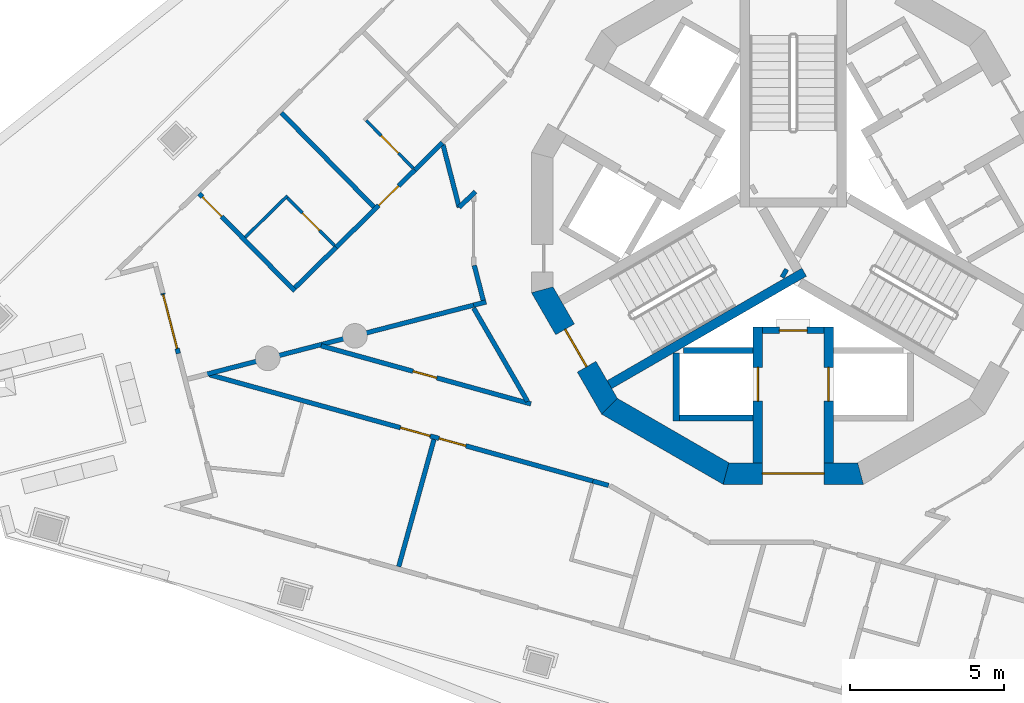
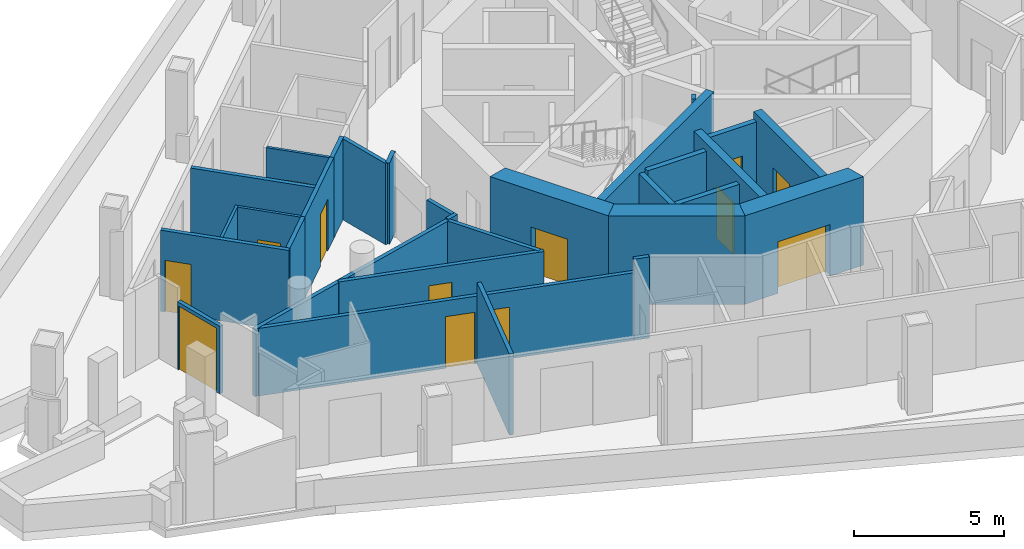
# One storey, part 3 of 14: 30 walls, 13 doors, 13 openings.
"""IFC4 building model written with IfcOpenShell, lengths in metres."""

from ifc_helpers import new_model, si_unit, direction, frame, frame_2d, origin, place, context, subcontext, project, spatial, polyline, rectangle, outline, extrude, material, layer, layer_set, type_object, element, fill, save


model = new_model("IFC4")

# Units and contexts
model_context = context("Model", 3, precision=1e-05, world=origin(), true_north=direction((0.0, 1.0)))
body_context = subcontext(model_context, "Body", "Model", "MODEL_VIEW")
ifc_project = project(units=[si_unit("LENGTHUNIT", "METRE"), si_unit("AREAUNIT", "SQUARE_METRE"), si_unit("VOLUMEUNIT", "CUBIC_METRE"), si_unit("PLANEANGLEUNIT", "RADIAN"), si_unit("MASSUNIT", "GRAM", prefix="KILO")], contexts=[model_context])

# Site, building, storey
site_placement = place(None, origin())
site = spatial("IfcSite", under=ifc_project, at=site_placement, CompositionType="ELEMENT")
building_placement = place(site_placement, origin())
building = spatial("IfcBuilding", under=site, at=building_placement, Name="Trine Commons Tower", CompositionType="ELEMENT")
storey_placement = place(building_placement, frame((0.0, 0.0, 234.89990234375)))
storey = spatial("IfcBuildingStorey", under=building, at=storey_placement, Name="L61", CompositionType="ELEMENT", Elevation=234.89990234375)

# Wall, opening, door
ifc_material_1 = material(Name="Aluminium-framed insulated wall panel", Category="aluminium")
ifc_layer_1 = layer(ifc_material_1, 0.14990234375)
ifc_layer_set_1 = layer_set([ifc_layer_1], Name="Aluminium-framed insulated wall panel")
wall_type_1 = type_object("IfcWallType", Name="Glazed frame wall 150, EI 60", PredefinedType="SOLIDWALL", material=ifc_layer_set_1)
wall_1_placement = place(storey_placement, frame((60.0390625, 58.2451171875, 0.0), z_axis=(0.0, 0.0, 1.0), x_axis=(-0.250341838346, 0.968157509899, 0.0)))
wall_1 = element("IfcWall", 1, at=wall_1_placement, inside=storey, type_object=wall_type_1, Name="Glazed frame wall P3.4", PredefinedType="SOLIDWALL", context=body_context, shape_type="SweptSolid", body=[
    extrude(outline(polyline([(0.0, -0.074951171875), (2.021484375, -0.074951171875), (2.021484375, 0.074951171875), (0.0, 0.074951171875), (0.0, -0.074951171875)])), origin(), (0.0, 0.0, 1.0), 2.75),
])
opening_1_placement = place(wall_1_placement, frame((0.17138671875, 0.0, 0.0)))
opening_1 = element("IfcOpeningElement", 2, at=opening_1_placement, cuts=wall_1, Name="Opening BD-7P3-02", PredefinedType="OPENING", context=body_context, shape_type="SweptSolid", body=[
    extrude(rectangle(XDim=1.800048828125, YDim=2.60009765625, at=frame_2d((0.89990234375, 1.300048828125))), frame((0.0, 0.0849609375, 0.0), z_axis=(0.0, -1.0, 0.0), x_axis=(1.0, 0.0, 0.0)), (0.0, 0.0, 1.0), 0.169921875),
])
ifc_material_2 = material(Name="Anodised aluminium frame with double glazing", Category="aluminium")
door_type_1 = type_object("IfcDoorType", Name="Sliding loggia door 1800x2600", OperationType="SLIDING_TO_LEFT", PredefinedType="DOOR", material=ifc_material_2)
door_1_placement = place(opening_1_placement, origin())
door_1 = element("IfcDoor", 3, at=door_1_placement, inside=storey, type_object=door_type_1, Name="Loggia door P3 2", OperationType="SLIDING_TO_LEFT", OverallHeight=2.60009765625, OverallWidth=1.800048828125, PredefinedType="DOOR", context=body_context, shape_type="SweptSolid", body=[
    extrude(rectangle(XDim=1.800048828125, YDim=2.60009765625, at=frame_2d((0.89990234375, 1.300048828125))), frame((0.0, 0.02490234375, 0.0), z_axis=(0.0, -1.0, 0.0), x_axis=(1.0, 0.0, 0.0)), (0.0, 0.0, 1.0), 0.050048828125),
])
fill(opening_1, door_1)

ifc_material_3 = material(Name="Fire-rated gypsum shaft wall system")
ifc_layer_2 = layer(ifc_material_3, 0.199951171875)
ifc_layer_set_2 = layer_set([ifc_layer_2], Name="Fire-rated gypsum shaft wall system")
wall_type_2 = type_object("IfcWallType", Name="Lobby end wall 200 mm, EI 120", PredefinedType="PARTITIONING", material=ifc_layer_set_2)
wall_2_placement = place(storey_placement, frame((79.0, 59.0, 0.0), z_axis=(0.0, 0.0, 1.0), x_axis=(1.0, 0.0, 0.0)))
wall_2 = element("IfcWall", 4, at=wall_2_placement, inside=storey, type_object=wall_type_2, Name="Lobby end wall L61", PredefinedType="PARTITIONING", context=body_context, shape_type="SweptSolid", body=[
    extrude(rectangle(XDim=2.0, YDim=0.199951171875, at=frame_2d((1.0, 0.0))), origin(), (0.0, 0.0, 1.0), 3.300048828125),
])
opening_2_placement = place(wall_2_placement, frame((0.550048828125, 0.0, 0.0)))
opening_2 = element("IfcOpeningElement", 5, at=opening_2_placement, cuts=wall_2, Name="Opening K15.09", PredefinedType="OPENING", context=body_context, shape_type="SweptSolid", body=[
    extrude(rectangle(XDim=0.89990234375, YDim=2.10009765625, at=frame_2d((0.449951171875, 1.050048828125))), frame((0.0, 0.10986328125, 0.0), z_axis=(0.0, -1.0, 0.0), x_axis=(1.0, 0.0, 0.0)), (0.0, 0.0, 1.0), 0.219970703125),
])
ifc_material_4 = material(Name="Steel door leaf, fire-rated", Category="steel")
door_type_2 = type_object("IfcDoorType", Name="Riser access door, single leaf 900 x 2100, FD60", OperationType="SINGLE_SWING_LEFT", PredefinedType="DOOR", material=ifc_material_4)
door_2_placement = place(opening_2_placement, frame((0.89990234375, 0.0, 0.0), z_axis=(0.0, 0.0, 1.0), x_axis=(-1.0, 0.0, 0.0)))
door_2 = element("IfcDoor", 6, at=door_2_placement, inside=storey, type_object=door_type_2, Name="Riser door, Communications riser L61", OperationType="SINGLE_SWING_RIGHT", OverallHeight=2.10009765625, OverallWidth=0.89990234375, PredefinedType="DOOR", context=body_context, shape_type="SweptSolid", body=[
    extrude(rectangle(XDim=0.89990234375, YDim=2.10009765625, at=frame_2d((0.449951171875, 1.050048828125))), frame((0.0, 0.02490234375, 0.0), z_axis=(0.0, -1.0, 0.0), x_axis=(1.0, 0.0, 0.0)), (0.0, 0.0, 1.0), 0.050048828125),
])
fill(opening_2, door_2)

ifc_material_5 = material(Name="Concrete C50/60", Category="concrete")
ifc_layer_3 = layer(ifc_material_5, 0.300048828125)
ifc_layer_set_3 = layer_set([ifc_layer_3], Name="Concrete C50/60")
wall_type_3 = type_object("IfcWallType", Name="RC shear wall 300 mm, C50/60", PredefinedType="SHEAR", material=ifc_layer_set_3)
wall_3_placement = place(storey_placement, frame((78.85009765625, 59.10009765625, 0.0), z_axis=(0.0, 0.0, 1.0), x_axis=(0.0, -1.0, 0.0)))
wall_3 = element("IfcWall", 7, at=wall_3_placement, inside=storey, type_object=wall_type_3, Name="Core cross wall SWC-03 L61", PredefinedType="SHEAR", context=body_context, shape_type="SweptSolid", body=[
    extrude(rectangle(XDim=4.400146484375, YDim=0.300048828125, at=frame_2d((2.2001953125, 0.0))), origin(), (0.0, 0.0, 1.0), 3.60009765625),
])
opening_3_placement = place(wall_3_placement, frame((1.300048828125, 0.0, 0.0)))
opening_3 = element("IfcOpeningElement", 8, at=opening_3_placement, cuts=wall_3, Name="Opening LD10", PredefinedType="OPENING", context=body_context, shape_type="SweptSolid", body=[
    extrude(rectangle(XDim=1.10009765625, YDim=2.10009765625, at=frame_2d((0.550048828125, 1.050048828125))), frame((0.0, 0.159912109375, 0.0), z_axis=(0.0, -1.0, 0.0), x_axis=(1.0, 0.0, 0.0)), (0.0, 0.0, 1.0), 0.320068359375),
])
ifc_material_6 = material(Name="Stainless steel sliding door leaves", Category="steel")
door_type_3 = type_object("IfcDoorType", Name="Lift landing door, centre-opening sliding 1100 x 2100, FD90", OperationType="DOUBLE_DOOR_SLIDING", PredefinedType="DOOR", material=ifc_material_6)
door_3_placement = place(opening_3_placement, origin())
door_3 = element("IfcDoor", 9, at=door_3_placement, inside=storey, type_object=door_type_3, Name="Lift landing door FF2 L61", OperationType="DOUBLE_DOOR_SLIDING", OverallHeight=2.10009765625, OverallWidth=1.10009765625, PredefinedType="DOOR", context=body_context, shape_type="SweptSolid", body=[
    extrude(rectangle(XDim=1.10009765625, YDim=2.10009765625, at=frame_2d((0.550048828125, 1.050048828125))), frame((0.0, 0.02490234375, 0.0), z_axis=(0.0, -1.0, 0.0), x_axis=(1.0, 0.0, 0.0)), (0.0, 0.0, 1.0), 0.050048828125),
])
fill(opening_3, door_3)

wall_4_placement = place(storey_placement, frame((81.14990234375, 59.10009765625, 0.0), z_axis=(0.0, 0.0, 1.0), x_axis=(0.0, -1.0, 0.0)))
wall_4 = element("IfcWall", 10, at=wall_4_placement, inside=storey, type_object=wall_type_3, Name="Core cross wall SWC-04 L61", PredefinedType="SHEAR", context=body_context, shape_type="SweptSolid", body=[
    extrude(rectangle(XDim=4.400146484375, YDim=0.300048828125, at=frame_2d((2.2001953125, 0.0))), origin(), (0.0, 0.0, 1.0), 3.60009765625),
])
opening_4_placement = place(wall_4_placement, frame((1.300048828125, 0.0, 0.0)))
opening_4 = element("IfcOpeningElement", 11, at=opening_4_placement, cuts=wall_4, Name="Opening LD9", PredefinedType="OPENING", context=body_context, shape_type="SweptSolid", body=[
    extrude(rectangle(XDim=1.10009765625, YDim=2.10009765625, at=frame_2d((0.550048828125, 1.050048828125))), frame((0.0, 0.159912109375, 0.0), z_axis=(0.0, -1.0, 0.0), x_axis=(1.0, 0.0, 0.0)), (0.0, 0.0, 1.0), 0.320068359375),
])
door_4_placement = place(opening_4_placement, origin())
door_4 = element("IfcDoor", 12, at=door_4_placement, inside=storey, type_object=door_type_3, Name="Lift landing door FF1 L61", OperationType="DOUBLE_DOOR_SLIDING", OverallHeight=2.10009765625, OverallWidth=1.10009765625, PredefinedType="DOOR", context=body_context, shape_type="SweptSolid", body=[
    extrude(rectangle(XDim=1.10009765625, YDim=2.10009765625, at=frame_2d((0.550048828125, 1.050048828125))), frame((0.0, 0.02490234375, 0.0), z_axis=(0.0, -1.0, 0.0), x_axis=(1.0, 0.0, 0.0)), (0.0, 0.0, 1.0), 0.050048828125),
])
fill(opening_4, door_4)

# Walls
wall_5_placement = place(storey_placement, frame((79.64599609375, 60.885986328125, 0.0), z_axis=(0.0, 0.0, 1.0), x_axis=(0.867331893649, -0.497730234424, 0.0)))
element("IfcWall", 13, at=wall_5_placement, inside=storey, type_object=wall_type_3, Name="Core cross wall SWC-11 L61", PredefinedType="SHEAR", context=body_context, shape_type="SweptSolid", body=[
    extrude(rectangle(XDim=0.148681640625, YDim=0.300048828125, at=frame_2d((0.07421875, 0.0))), origin(), (0.0, 0.0, 1.0), 3.60009765625),
])
wall_6_placement = place(storey_placement, frame((80.35400390625, 60.885986328125, 0.0), z_axis=(0.0, 0.0, 1.0), x_axis=(-0.866032430508, -0.49998782916, 0.0)))
element("IfcWall", 14, at=wall_6_placement, inside=storey, type_object=wall_type_3, Name="Core cross wall SWC-14 L61", PredefinedType="SHEAR", context=body_context, shape_type="SweptSolid", body=[
    extrude(rectangle(XDim=7.300048828125, YDim=0.300048828125, at=frame_2d((3.64990234375, 0.0))), origin(), (0.0, 0.0, 1.0), 3.60009765625),
])

# Wall, opening, door
ifc_layer_4 = layer(ifc_material_5, 0.699951171875)
ifc_layer_set_4 = layer_set([ifc_layer_4], Name="Concrete C50/60")
wall_type_4 = type_object("IfcWallType", Name="RC shear wall 700 mm, C50/60", PredefinedType="SHEAR", material=ifc_layer_set_4)
wall_7_placement = place(storey_placement, frame((71.802978515625, 60.3974609375, 0.0), z_axis=(0.0, 0.0, 1.0), x_axis=(0.499983800959, -0.866034756103, 0.0)))
wall_7 = element("IfcWall", 15, at=wall_7_placement, inside=storey, type_object=wall_type_4, Name="Core wall CWG-08 L61", PredefinedType="SHEAR", context=body_context, shape_type="SweptSolid", body=[
    extrude(outline(polyline([(0.0, -0.35009765625), (4.55517578125, -0.35009765625), (4.36767578125, 0.35009765625), (0.1875, 0.35009765625), (0.0, -0.35009765625)])), origin(), (0.0, 0.0, 1.0), 3.60009765625),
])
opening_5_placement = place(wall_7_placement, frame((1.577392578125, 0.0, 0.0)))
opening_5 = element("IfcOpeningElement", 16, at=opening_5_placement, cuts=wall_7, Name="Opening K15.02", PredefinedType="OPENING", context=body_context, shape_type="SweptSolid", body=[
    extrude(rectangle(XDim=1.39990234375, YDim=2.10009765625, at=frame_2d((0.699951171875, 1.050048828125))), frame((0.0, 0.35986328125, 0.0), z_axis=(0.0, -1.0, 0.0), x_axis=(1.0, 0.0, 0.0)), (0.0, 0.0, 1.0), 0.719970703125),
])
ifc_material_7 = material(Name="Steel door leaves, fire-rated", Category="steel")
door_type_4 = type_object("IfcDoorType", Name="Stair door, double leaf 1400 x 2100, FD90", OperationType="DOUBLE_DOOR_SINGLE_SWING", PredefinedType="DOOR", material=ifc_material_7)
door_5_placement = place(opening_5_placement, origin())
door_5 = element("IfcDoor", 17, at=door_5_placement, inside=storey, type_object=door_type_4, Name="Stair door to Exit stair ST2C L61", OperationType="DOUBLE_DOOR_SINGLE_SWING", OverallHeight=2.10009765625, OverallWidth=1.39990234375, PredefinedType="DOOR", context=body_context, shape_type="SweptSolid", body=[
    extrude(rectangle(XDim=1.39990234375, YDim=2.10009765625, at=frame_2d((0.699951171875, 1.050048828125))), frame((0.0, 0.02490234375, 0.0), z_axis=(0.0, -1.0, 0.0), x_axis=(1.0, 0.0, 0.0)), (0.0, 0.0, 1.0), 0.050048828125),
])
fill(opening_5, door_5)

# Wall
wall_8_placement = place(storey_placement, frame((73.952392578125, 56.58056640625, 0.0), z_axis=(0.0, 0.0, 1.0), x_axis=(0.866034756103, -0.499983800959, 0.0)))
element("IfcWall", 18, at=wall_8_placement, inside=storey, type_object=wall_type_4, Name="Core wall CWG-09 L61", PredefinedType="SHEAR", context=body_context, shape_type="SweptSolid", body=[
    extrude(outline(polyline([(0.0, -0.35009765625), (4.55517578125, -0.35009765625), (4.36767578125, 0.35009765625), (0.1875, 0.35009765625), (0.0, -0.35009765625)])), origin(), (0.0, 0.0, 1.0), 3.60009765625),
])

# Wall, opening, door
wall_9_placement = place(storey_placement, frame((77.722412109375, 54.349853515625, 0.0), z_axis=(0.0, 0.0, 1.0), x_axis=(1.0, 0.0, 0.0)))
wall_9 = element("IfcWall", 19, at=wall_9_placement, inside=storey, type_object=wall_type_4, Name="Core wall CWG-10 L61", PredefinedType="SHEAR", context=body_context, shape_type="SweptSolid", body=[
    extrude(outline(polyline([(0.0, -0.35009765625), (4.55517578125, -0.35009765625), (4.36767578125, 0.35009765625), (0.1875, 0.35009765625), (0.0, -0.35009765625)])), origin(), (0.0, 0.0, 1.0), 3.60009765625),
])
opening_6_placement = place(wall_9_placement, frame((1.277587890625, 0.0, 0.0)))
opening_6 = element("IfcOpeningElement", 20, at=opening_6_placement, cuts=wall_9, Name="Opening K15.08", PredefinedType="OPENING", context=body_context, shape_type="SweptSolid", body=[
    extrude(rectangle(XDim=2.0, YDim=2.10009765625, at=frame_2d((1.0, 1.050048828125))), frame((0.0, 0.35986328125, 0.0), z_axis=(0.0, -1.0, 0.0), x_axis=(1.0, 0.0, 0.0)), (0.0, 0.0, 1.0), 0.719970703125),
])
door_type_5 = type_object("IfcDoorType", Name="Lobby door, double leaf 2000 x 2100, FD60", OperationType="DOUBLE_DOOR_SINGLE_SWING", PredefinedType="DOOR", material=ifc_material_7)
door_6_placement = place(opening_6_placement, origin())
door_6 = element("IfcDoor", 21, at=door_6_placement, inside=storey, type_object=door_type_5, Name="Lobby door, Service and firefighting lobby L61", OperationType="DOUBLE_DOOR_SINGLE_SWING", OverallHeight=2.10009765625, OverallWidth=2.0, PredefinedType="DOOR", context=body_context, shape_type="SweptSolid", body=[
    extrude(rectangle(XDim=2.0, YDim=2.10009765625, at=frame_2d((1.0, 1.050048828125))), frame((0.0, 0.02490234375, 0.0), z_axis=(0.0, -1.0, 0.0), x_axis=(1.0, 0.0, 0.0)), (0.0, 0.0, 1.0), 0.050048828125),
])
fill(opening_6, door_6)

# Walls
ifc_layer_5 = layer(ifc_material_3, 0.199951171875)
ifc_layer_set_5 = layer_set([ifc_layer_5], Name="Fire-rated gypsum shaft wall system")
wall_type_5 = type_object("IfcWallType", Name="Shaft wall 200 mm, EI 120", PredefinedType="PARTITIONING", material=ifc_layer_set_5)
wall_10_placement = place(storey_placement, frame((76.199951171875, 58.257080078125, 0.0), z_axis=(0.0, 0.0, 1.0), x_axis=(0.0, -1.0, 0.0)))
element("IfcWall", 22, at=wall_10_placement, inside=storey, type_object=wall_type_5, Name="Shaft wall L61", PredefinedType="PARTITIONING", context=body_context, shape_type="SweptSolid", body=[
    extrude(rectangle(XDim=2.20703125, YDim=0.199951171875, at=frame_2d((1.103515625, 0.0))), origin(), (0.0, 0.0, 1.0), 3.300048828125),
])
wall_11_placement = place(storey_placement, frame((78.699951171875, 56.14990234375, 0.0), z_axis=(0.0, 0.0, 1.0), x_axis=(-1.0, 0.0, 0.0)))
element("IfcWall", 23, at=wall_11_placement, inside=storey, type_object=wall_type_5, Name="Shaft wall L61", PredefinedType="PARTITIONING", context=body_context, shape_type="SweptSolid", body=[
    extrude(rectangle(XDim=2.39990234375, YDim=0.199951171875, at=frame_2d((1.199951171875, 0.0))), origin(), (0.0, 0.0, 1.0), 3.300048828125),
])
wall_12_placement = place(storey_placement, frame((78.699951171875, 58.35009765625, 0.0), z_axis=(0.0, 0.0, 1.0), x_axis=(-1.0, 0.0, 0.0)))
element("IfcWall", 24, at=wall_12_placement, inside=storey, type_object=wall_type_5, Name="Shaft wall L61", PredefinedType="PARTITIONING", context=body_context, shape_type="SweptSolid", body=[
    extrude(rectangle(XDim=2.264892578125, YDim=0.199951171875, at=frame_2d((1.13232421875, 0.0))), origin(), (0.0, 0.0, 1.0), 3.300048828125),
])

# Wall, opening, door
ifc_material_8 = material(Name="Gypsum plasterboard on steel stud", Category="steel")
ifc_layer_6 = layer(ifc_material_8, 0.14990234375)
ifc_layer_set_6 = layer_set([ifc_layer_6], Name="Gypsum plasterboard on steel stud")
wall_type_6 = type_object("IfcWallType", Name="Unit and corridor wall 150 mm, EI 60", PredefinedType="PARTITIONING", material=ifc_layer_set_6)
wall_13_placement = place(storey_placement, frame((60.7119140625, 63.4375, 0.0), z_axis=(0.0, 0.0, 1.0), x_axis=(0.700942148678, -0.713218132276, 0.0)))
wall_13 = element("IfcWall", 25, at=wall_13_placement, inside=storey, type_object=wall_type_6, Name="Partition 002", PredefinedType="PARTITIONING", context=body_context, shape_type="SweptSolid", body=[
    extrude(rectangle(XDim=4.43505859375, YDim=0.14990234375, at=frame_2d((2.217529296875, 0.0))), origin(), (0.0, 0.0, 1.0), 3.300048828125),
])
opening_7_placement = place(wall_13_placement, frame((0.14990234375, 0.0, 0.0)))
opening_7 = element("IfcOpeningElement", 26, at=opening_7_placement, cuts=wall_13, Name="Opening D-7A04", PredefinedType="OPENING", context=body_context, shape_type="SweptSolid", body=[
    extrude(rectangle(XDim=0.89990234375, YDim=2.10009765625, at=frame_2d((0.449951171875, 1.050048828125))), frame((0.0, 0.0849609375, 0.0), z_axis=(0.0, -1.0, 0.0), x_axis=(1.0, 0.0, 0.0)), (0.0, 0.0, 1.0), 0.169921875),
])
ifc_material_9 = material(Name="Timber fire door set", Category="wood")
door_type_6 = type_object("IfcDoorType", Name="Bedroom door 900 x 2100, FD30S", OperationType="NOTDEFINED", PredefinedType="DOOR", material=ifc_material_9)
door_7_placement = place(opening_7_placement, origin())
door_7 = element("IfcDoor", 27, at=door_7_placement, inside=storey, type_object=door_type_6, Name="Door D-7A04", OperationType="SINGLE_SWING_LEFT", OverallHeight=2.10009765625, OverallWidth=0.89990234375, PredefinedType="DOOR", context=body_context, shape_type="SweptSolid", body=[
    extrude(rectangle(XDim=0.89990234375, YDim=2.10009765625, at=frame_2d((0.449951171875, 1.050048828125))), frame((0.0, 0.02490234375, 0.0), z_axis=(0.0, -1.0, 0.0), x_axis=(1.0, 0.0, 0.0)), (0.0, 0.0, 1.0), 0.050048828125),
])
fill(opening_7, door_7)

# Wall
wall_14_placement = place(storey_placement, frame((60.8984375, 57.560302734375, 0.0), z_axis=(0.0, 0.0, 1.0), x_axis=(0.968148722019, 0.250375821623, 0.0)))
element("IfcWall", 28, at=wall_14_placement, inside=storey, type_object=wall_type_6, Name="Partition 003", PredefinedType="PARTITIONING", context=body_context, shape_type="SweptSolid", body=[
    extrude(rectangle(XDim=9.017578125, YDim=0.14990234375, at=frame_2d((4.5087890625, 0.0))), origin(), (0.0, 0.0, 1.0), 2.75),
])

# Wall, openings, doors
wall_15_placement = place(storey_placement, frame((61.043212890625, 57.55908203125, 0.0), z_axis=(0.0, 0.0, 1.0), x_axis=(0.963630739332, -0.26723734435, 0.0)))
wall_15 = element("IfcWall", 29, at=wall_15_placement, inside=storey, type_object=wall_type_6, Name="Partition 004", PredefinedType="PARTITIONING", context=body_context, shape_type="SweptSolid", body=[
    extrude(rectangle(XDim=12.97900390625, YDim=0.14990234375, at=frame_2d((6.489501953125, 0.0))), origin(), (0.0, 0.0, 1.0), 2.75),
])
opening_8_placement = place(wall_15_placement, frame((7.739990234375, 0.0, 0.0)))
opening_8 = element("IfcOpeningElement", 30, at=opening_8_placement, cuts=wall_15, Name="Opening D-7A24", PredefinedType="OPENING", context=body_context, shape_type="SweptSolid", body=[
    extrude(rectangle(XDim=0.89990234375, YDim=2.10009765625, at=frame_2d((0.449951171875, 1.050048828125))), frame((0.0, 0.0849609375, 0.0), z_axis=(0.0, -1.0, 0.0), x_axis=(1.0, 0.0, 0.0)), (0.0, 0.0, 1.0), 0.169921875),
])
opening_9_placement = place(wall_15_placement, frame((6.43994140625, 0.0, 0.0)))
opening_9 = element("IfcOpeningElement", 31, at=opening_9_placement, cuts=wall_15, Name="Opening D-7A25", PredefinedType="OPENING", context=body_context, shape_type="SweptSolid", body=[
    extrude(rectangle(XDim=1.0, YDim=2.10009765625, at=frame_2d((0.5, 1.050048828125))), frame((0.0, 0.0849609375, 0.0), z_axis=(0.0, -1.0, 0.0), x_axis=(1.0, 0.0, 0.0)), (0.0, 0.0, 1.0), 0.169921875),
])
door_type_7 = type_object("IfcDoorType", Name="Bedroom door 1000 x 2100, FD30S", OperationType="NOTDEFINED", PredefinedType="DOOR", material=ifc_material_9)
door_8_placement = place(opening_9_placement, frame((1.0, 0.0, 0.0), z_axis=(0.0, 0.0, 1.0), x_axis=(-1.0, 0.0, 0.0)))
door_8 = element("IfcDoor", 32, at=door_8_placement, inside=storey, type_object=door_type_7, Name="Door D-7A25", OperationType="SINGLE_SWING_LEFT", OverallHeight=2.10009765625, OverallWidth=1.0, PredefinedType="DOOR", context=body_context, shape_type="SweptSolid", body=[
    extrude(rectangle(XDim=1.0, YDim=2.10009765625, at=frame_2d((0.5, 1.050048828125))), frame((0.0, 0.02490234375, 0.0), z_axis=(0.0, -1.0, 0.0), x_axis=(1.0, 0.0, 0.0)), (0.0, 0.0, 1.0), 0.050048828125),
])
fill(opening_9, door_8)
door_9_placement = place(opening_8_placement, frame((0.89990234375, 0.0, 0.0), z_axis=(0.0, 0.0, 1.0), x_axis=(-1.0, 0.0, 0.0)))
door_9 = element("IfcDoor", 33, at=door_9_placement, inside=storey, type_object=door_type_6, Name="Door D-7A24", OperationType="SINGLE_SWING_LEFT", OverallHeight=2.10009765625, OverallWidth=0.89990234375, PredefinedType="DOOR", context=body_context, shape_type="SweptSolid", body=[
    extrude(rectangle(XDim=0.89990234375, YDim=2.10009765625, at=frame_2d((0.449951171875, 1.050048828125))), frame((0.0, 0.02490234375, 0.0), z_axis=(0.0, -1.0, 0.0), x_axis=(1.0, 0.0, 0.0)), (0.0, 0.0, 1.0), 0.050048828125),
])
fill(opening_8, door_9)

# Walls
wall_16_placement = place(storey_placement, frame((63.382080078125, 66.060546875, 0.0), z_axis=(0.0, 0.0, 1.0), x_axis=(0.70092652961, -0.71323348217, 0.0)))
element("IfcWall", 34, at=wall_16_placement, inside=storey, type_object=wall_type_6, Name="Partition 007", PredefinedType="PARTITIONING", context=body_context, shape_type="SweptSolid", body=[
    extrude(rectangle(XDim=4.284912109375, YDim=0.14990234375, at=frame_2d((2.142578125, 0.0))), origin(), (0.0, 0.0, 1.0), 3.300048828125),
])
wall_17_placement = place(storey_placement, frame((63.821533203125, 60.380615234375, 0.0), z_axis=(0.0, 0.0, 1.0), x_axis=(0.713509638131, 0.700645414096, 0.0)))
element("IfcWall", 35, at=wall_17_placement, inside=storey, type_object=wall_type_6, Name="Partition 010", PredefinedType="PARTITIONING", context=body_context, shape_type="SweptSolid", body=[
    extrude(rectangle(XDim=1.87890625, YDim=0.14990234375, at=frame_2d((0.939453125, 0.0))), origin(), (0.0, 0.0, 1.0), 3.300048828125),
])

# Wall, opening, door
wall_18_placement = place(storey_placement, frame((64.67333984375, 58.498046875, 0.0), z_axis=(0.0, 0.0, 1.0), x_axis=(0.963632187737, -0.267232121491, 0.0)))
wall_18 = element("IfcWall", 36, at=wall_18_placement, inside=storey, type_object=wall_type_6, Name="Partition 011", PredefinedType="PARTITIONING", context=body_context, shape_type="SweptSolid", body=[
    extrude(rectangle(XDim=7.064697265625, YDim=0.14990234375, at=frame_2d((3.5322265625, 0.0))), origin(), (0.0, 0.0, 1.0), 2.800048828125),
])
opening_10_placement = place(wall_18_placement, frame((3.094970703125, 0.0, 0.0)))
opening_10 = element("IfcOpeningElement", 37, at=opening_10_placement, cuts=wall_18, Name="Opening D-7A26", PredefinedType="OPENING", context=body_context, shape_type="SweptSolid", body=[
    extrude(rectangle(XDim=0.800048828125, YDim=2.10009765625, at=frame_2d((0.39990234375, 1.050048828125))), frame((0.0, 0.0849609375, 0.0), z_axis=(0.0, -1.0, 0.0), x_axis=(1.0, 0.0, 0.0)), (0.0, 0.0, 1.0), 0.169921875),
])
ifc_material_10 = material(Name="Painted timber", Category="wood")
door_type_8 = type_object("IfcDoorType", Name="Toilet door 800 x 2100, NOT RATED", OperationType="NOTDEFINED", PredefinedType="DOOR", material=ifc_material_10)
door_10_placement = place(opening_10_placement, origin())
door_10 = element("IfcDoor", 38, at=door_10_placement, inside=storey, type_object=door_type_8, Name="Door D-7A26", OperationType="SINGLE_SWING_LEFT", OverallHeight=2.10009765625, OverallWidth=0.800048828125, PredefinedType="DOOR", context=body_context, shape_type="SweptSolid", body=[
    extrude(rectangle(XDim=0.800048828125, YDim=2.10009765625, at=frame_2d((0.39990234375, 1.050048828125))), frame((0.0, 0.02490234375, 0.0), z_axis=(0.0, -1.0, 0.0), x_axis=(1.0, 0.0, 0.0)), (0.0, 0.0, 1.0), 0.050048828125),
])
fill(opening_10, door_10)

wall_19_placement = place(storey_placement, frame((65.120361328125, 61.656005859375, 0.0), z_axis=(0.0, 0.0, 1.0), x_axis=(0.713194386998, 0.700966309001, 0.0)))
wall_19 = element("IfcWall", 39, at=wall_19_placement, inside=storey, type_object=wall_type_6, Name="Partition 012", PredefinedType="PARTITIONING", context=body_context, shape_type="SweptSolid", body=[
    extrude(rectangle(XDim=3.693603515625, YDim=0.14990234375, at=frame_2d((1.8466796875, 0.0))), origin(), (0.0, 0.0, 1.0), 3.300048828125),
])
opening_11_placement = place(wall_19_placement, frame((1.99755859375, 0.0, 0.0)))
opening_11 = element("IfcOpeningElement", 40, at=opening_11_placement, cuts=wall_19, Name="Opening D-7A05", PredefinedType="OPENING", context=body_context, shape_type="SweptSolid", body=[
    extrude(rectangle(XDim=0.89990234375, YDim=2.10009765625, at=frame_2d((0.449951171875, 1.050048828125))), frame((0.0, 0.0849609375, 0.0), z_axis=(0.0, -1.0, 0.0), x_axis=(1.0, 0.0, 0.0)), (0.0, 0.0, 1.0), 0.169921875),
])
door_11_placement = place(opening_11_placement, origin())
door_11 = element("IfcDoor", 41, at=door_11_placement, inside=storey, type_object=door_type_6, Name="Door D-7A05", OperationType="SINGLE_SWING_RIGHT", OverallHeight=2.10009765625, OverallWidth=0.89990234375, PredefinedType="DOOR", context=body_context, shape_type="SweptSolid", body=[
    extrude(rectangle(XDim=0.89990234375, YDim=2.10009765625, at=frame_2d((0.449951171875, 1.050048828125))), frame((0.0, 0.02490234375, 0.0), z_axis=(0.0, -1.0, 0.0), x_axis=(1.0, 0.0, 0.0)), (0.0, 0.0, 1.0), 0.050048828125),
])
fill(opening_11, door_11)

# Walls
wall_20_placement = place(storey_placement, frame((67.191650390625, 51.32861328125, 0.0), z_axis=(0.0, 0.0, 1.0), x_axis=(0.267270648008, 0.963621502828, 0.0)))
element("IfcWall", 42, at=wall_20_placement, inside=storey, type_object=wall_type_6, Name="Partition 016", PredefinedType="PARTITIONING", context=body_context, shape_type="SweptSolid", body=[
    extrude(rectangle(XDim=4.284912109375, YDim=0.14990234375, at=frame_2d((2.142578125, 0.0))), origin(), (0.0, 0.0, 1.0), 3.300048828125),
])
wall_21_placement = place(storey_placement, frame((67.714111328125, 64.205078125, 0.0), z_axis=(0.0, 0.0, 1.0), x_axis=(0.712981774693, 0.70118256464, 0.0)))
element("IfcWall", 43, at=wall_21_placement, inside=storey, type_object=wall_type_6, Name="Partition 018", PredefinedType="PARTITIONING", context=body_context, shape_type="SweptSolid", body=[
    extrude(rectangle(XDim=1.26220703125, YDim=0.14990234375, at=frame_2d((0.631103515625, 0.0))), origin(), (0.0, 0.0, 1.0), 3.300048828125),
])
wall_22_placement = place(storey_placement, frame((68.630859375, 65.016357421875, 0.0), z_axis=(0.0, 0.0, 1.0), x_axis=(0.250220542644, -0.968188865893, 0.0)))
element("IfcWall", 44, at=wall_22_placement, inside=storey, type_object=wall_type_6, Name="Partition 019", PredefinedType="PARTITIONING", context=body_context, shape_type="SweptSolid", body=[
    extrude(rectangle(XDim=2.0908203125, YDim=0.14990234375, at=frame_2d((1.04541015625, 0.0))), origin(), (0.0, 0.0, 1.0), 3.300048828125),
])
wall_23_placement = place(storey_placement, frame((69.157958984375, 62.991943359375, 0.0), z_axis=(0.0, 0.0, 1.0), x_axis=(0.712433157826, 0.701739977221, 0.0)))
element("IfcWall", 45, at=wall_23_placement, inside=storey, type_object=wall_type_6, Name="Partition 024", PredefinedType="PARTITIONING", context=body_context, shape_type="SweptSolid", body=[
    extrude(rectangle(XDim=0.730712890625, YDim=0.14990234375, at=frame_2d((0.365234375, 0.0))), origin(), (0.0, 0.0, 1.0), 3.300048828125),
])
wall_24_placement = place(storey_placement, frame((69.625, 59.719970703125, 0.0), z_axis=(0.0, 0.0, 1.0), x_axis=(0.50005889006, -0.865991400923, 0.0)))
element("IfcWall", 46, at=wall_24_placement, inside=storey, type_object=wall_type_6, Name="Partition 025", PredefinedType="PARTITIONING", context=body_context, shape_type="SweptSolid", body=[
    extrude(rectangle(XDim=3.49658203125, YDim=0.14990234375, at=frame_2d((1.748291015625, 0.0))), origin(), (0.0, 0.0, 1.0), 2.800048828125),
])
wall_25_placement = place(storey_placement, frame((69.625, 59.81689453125, 0.0), z_axis=(0.0, 0.0, 1.0), x_axis=(0.968355193071, 0.249576080688, 0.0)))
element("IfcWall", 47, at=wall_25_placement, inside=storey, type_object=wall_type_6, Name="Partition 026", PredefinedType="PARTITIONING", context=body_context, shape_type="SweptSolid", body=[
    extrude(rectangle(XDim=0.415771484375, YDim=0.14990234375, at=frame_2d((0.2080078125, 0.0))), origin(), (0.0, 0.0, 1.0), 2.800048828125),
])
wall_26_placement = place(storey_placement, frame((69.643798828125, 61.107421875, 0.0), z_axis=(0.0, 0.0, 1.0), x_axis=(0.249991617467, -0.968248000874, 0.0)))
element("IfcWall", 48, at=wall_26_placement, inside=storey, type_object=wall_type_6, Name="Partition 028", PredefinedType="PARTITIONING", context=body_context, shape_type="SweptSolid", body=[
    extrude(rectangle(XDim=1.169921875, YDim=0.14990234375, at=frame_2d((0.5849609375, 0.0))), origin(), (0.0, 0.0, 1.0), 2.800048828125),
])
wall_27_placement = place(storey_placement, frame((73.4951171875, 54.10595703125, 0.0), z_axis=(0.0, 0.0, 1.0), x_axis=(0.963398829282, -0.268072183819, 0.0)))
element("IfcWall", 49, at=wall_27_placement, inside=storey, type_object=wall_type_6, Name="Partition 035", PredefinedType="PARTITIONING", context=body_context, shape_type="SweptSolid", body=[
    extrude(rectangle(XDim=0.529052734375, YDim=0.14990234375, at=frame_2d((0.2646484375, 0.0))), origin(), (0.0, 0.0, 1.0), 3.300048828125),
])
ifc_layer_7 = layer(ifc_material_8, 0.10009765625)
ifc_layer_set_7 = layer_set([ifc_layer_7], Name="Gypsum plasterboard on steel stud")
wall_type_7 = type_object("IfcWallType", Name="Unit partition 100 mm, no rating", PredefinedType="PARTITIONING", material=ifc_layer_set_7)
wall_28_placement = place(storey_placement, frame((62.20947265625, 62.0205078125, 0.0), z_axis=(0.0, 0.0, 1.0), x_axis=(0.713229664058, 0.70093041474, 0.0)))
element("IfcWall", 50, at=wall_28_placement, inside=storey, type_object=wall_type_7, Name="Partition 006", PredefinedType="PARTITIONING", context=body_context, shape_type="SweptSolid", body=[
    extrude(rectangle(XDim=1.925537109375, YDim=0.10009765625, at=frame_2d((0.962890625, 0.0))), origin(), (0.0, 0.0, 1.0), 3.300048828125),
])

# Wall, opening, door
wall_29_placement = place(storey_placement, frame((63.58203125, 63.29931640625, 0.0), z_axis=(0.0, 0.0, 1.0), x_axis=(0.700793702446, -0.713363993073, 0.0)))
wall_29 = element("IfcWall", 51, at=wall_29_placement, inside=storey, type_object=wall_type_7, Name="Partition 009", PredefinedType="PARTITIONING", context=body_context, shape_type="SweptSolid", body=[
    extrude(rectangle(XDim=2.17529296875, YDim=0.10009765625, at=frame_2d((1.087646484375, 0.0))), origin(), (0.0, 0.0, 1.0), 3.300048828125),
])
opening_12_placement = place(wall_29_placement, frame((0.6875, 0.0, 0.0)))
opening_12 = element("IfcOpeningElement", 52, at=opening_12_placement, cuts=wall_29, Name="Opening D-7A28", PredefinedType="OPENING", context=body_context, shape_type="SweptSolid", body=[
    extrude(rectangle(XDim=0.800048828125, YDim=2.10009765625, at=frame_2d((0.39990234375, 1.050048828125))), frame((0.0, 0.06005859375, 0.0), z_axis=(0.0, -1.0, 0.0), x_axis=(1.0, 0.0, 0.0)), (0.0, 0.0, 1.0), 0.1201171875),
])
door_type_9 = type_object("IfcDoorType", Name="Internal door 800 x 2100, NOT RATED", OperationType="NOTDEFINED", PredefinedType="DOOR", material=ifc_material_10)
door_12_placement = place(opening_12_placement, origin())
door_12 = element("IfcDoor", 53, at=door_12_placement, inside=storey, type_object=door_type_9, Name="Door D-7A28", OperationType="SINGLE_SWING_LEFT", OverallHeight=2.10009765625, OverallWidth=0.800048828125, PredefinedType="DOOR", context=body_context, shape_type="SweptSolid", body=[
    extrude(rectangle(XDim=0.800048828125, YDim=2.10009765625, at=frame_2d((0.39990234375, 1.050048828125))), frame((0.0, 0.02490234375, 0.0), z_axis=(0.0, -1.0, 0.0), x_axis=(1.0, 0.0, 0.0)), (0.0, 0.0, 1.0), 0.050048828125),
])
fill(opening_12, door_12)

wall_30_placement = place(storey_placement, frame((66.138916015625, 65.812255859375, 0.0), z_axis=(0.0, 0.0, 1.0), x_axis=(0.701018173636, -0.713143407901, 0.0)))
wall_30 = element("IfcWall", 54, at=wall_30_placement, inside=storey, type_object=wall_type_7, Name="Partition 015", PredefinedType="PARTITIONING", context=body_context, shape_type="SweptSolid", body=[
    extrude(rectangle(XDim=2.174560546875, YDim=0.10009765625, at=frame_2d((1.08740234375, 0.0))), origin(), (0.0, 0.0, 1.0), 3.300048828125),
])
opening_13_placement = place(wall_30_placement, frame((0.687255859375, 0.0, 0.0)))
opening_13 = element("IfcOpeningElement", 55, at=opening_13_placement, cuts=wall_30, Name="Opening D-7A29", PredefinedType="OPENING", context=body_context, shape_type="SweptSolid", body=[
    extrude(rectangle(XDim=0.800048828125, YDim=2.10009765625, at=frame_2d((0.39990234375, 1.050048828125))), frame((0.0, 0.06005859375, 0.0), z_axis=(0.0, -1.0, 0.0), x_axis=(1.0, 0.0, 0.0)), (0.0, 0.0, 1.0), 0.1201171875),
])
door_13_placement = place(opening_13_placement, frame((0.800048828125, 0.0, 0.0), z_axis=(0.0, 0.0, 1.0), x_axis=(-1.0, 0.0, 0.0)))
door_13 = element("IfcDoor", 56, at=door_13_placement, inside=storey, type_object=door_type_9, Name="Door D-7A29", OperationType="SINGLE_SWING_RIGHT", OverallHeight=2.10009765625, OverallWidth=0.800048828125, PredefinedType="DOOR", context=body_context, shape_type="SweptSolid", body=[
    extrude(rectangle(XDim=0.800048828125, YDim=2.10009765625, at=frame_2d((0.39990234375, 1.050048828125))), frame((0.0, 0.02490234375, 0.0), z_axis=(0.0, -1.0, 0.0), x_axis=(1.0, 0.0, 0.0)), (0.0, 0.0, 1.0), 0.050048828125),
])
fill(opening_13, door_13)

save(model, "model.ifc")
